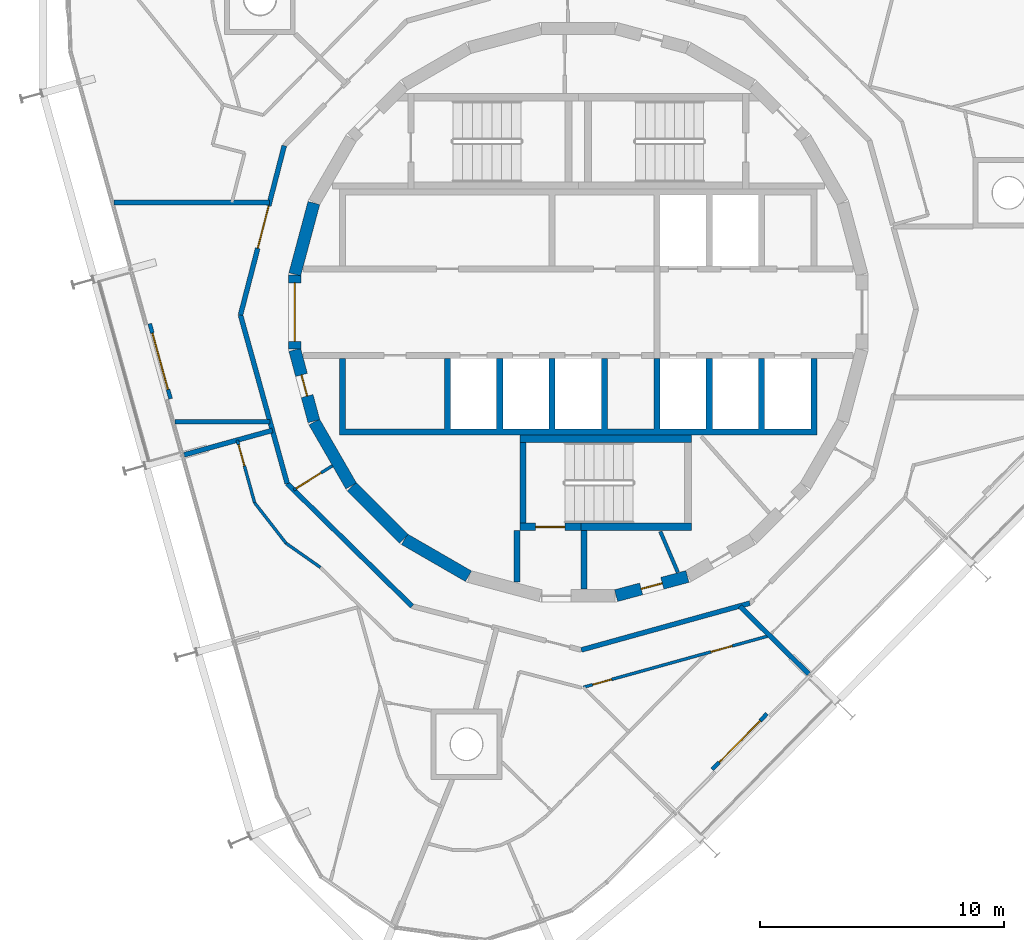
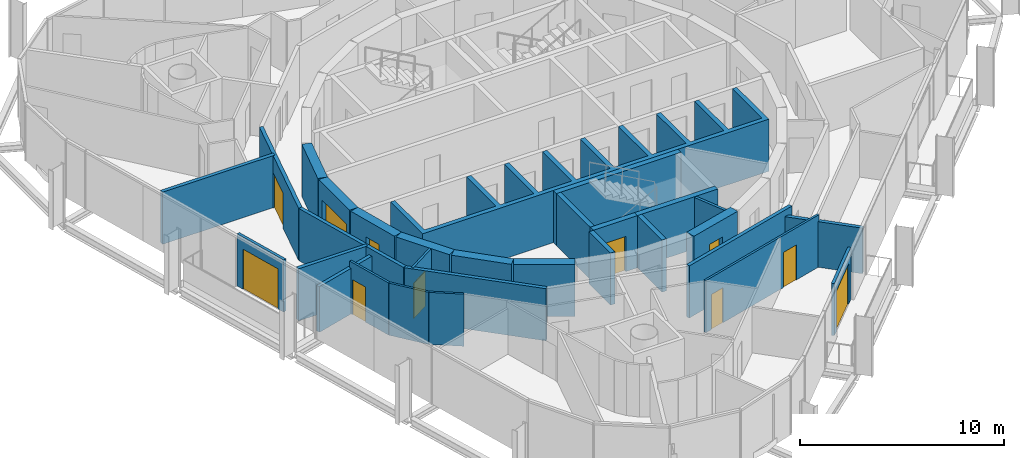
# One storey, part 10 of 15: 30 walls, 11 doors, 11 openings.
"""IFC4 building model written with IfcOpenShell, lengths in metres."""

from ifc_helpers import new_model, si_unit, direction, frame, frame_2d, origin, place, context, subcontext, project, spatial, polyline, rectangle, outline, extrude, material, layer, layer_set, type_object, element, fill, save


model = new_model("IFC4")

# Units and contexts
model_context = context("Model", 3, precision=1e-05, world=origin(), true_north=direction((0.0, 1.0)))
body_context = subcontext(model_context, "Body", "Model", "MODEL_VIEW")
ifc_project = project(units=[si_unit("LENGTHUNIT", "METRE"), si_unit("AREAUNIT", "SQUARE_METRE"), si_unit("VOLUMEUNIT", "CUBIC_METRE"), si_unit("PLANEANGLEUNIT", "RADIAN"), si_unit("MASSUNIT", "GRAM", prefix="KILO")], contexts=[model_context])

# Site, building, storey
site_placement = place(None, origin())
site = spatial("IfcSite", under=ifc_project, at=site_placement, CompositionType="ELEMENT")
building_placement = place(site_placement, origin())
building = spatial("IfcBuilding", under=site, at=building_placement, Name="Spindle Arch Residences", CompositionType="ELEMENT")
storey_placement = place(building_placement, frame((0.0, 0.0, 305.199951171875)))
storey = spatial("IfcBuildingStorey", under=building, at=storey_placement, Name="L78", CompositionType="ELEMENT", Elevation=305.199951171875)

# Wall, opening, door
ifc_material_1 = material(Name="Concrete C50/60", Category="concrete")
ifc_layer_1 = layer(ifc_material_1, 0.5)
ifc_layer_set_1 = layer_set([ifc_layer_1], Name="Core outline wall 500")
wall_type_1 = type_object("IfcWallType", Name="Core outline wall 500", PredefinedType="SHEAR", material=ifc_layer_set_1)
wall_1_placement = place(storey_placement, frame((1.5498046875, -11.642822265625, 0.0), z_axis=(0.0, 0.0, 1.0), x_axis=(0.965948410781, 0.258734743916, 0.0)))
wall_1 = element("IfcWall", 1, at=wall_1_placement, inside=storey, type_object=wall_type_1, Name="Core outline wall 1", PredefinedType="SHEAR", context=body_context, shape_type="SweptSolid", body=[
    extrude(rectangle(XDim=3.03271484375, YDim=0.5, at=frame_2d((1.516357421875, 0.0))), origin(), (0.0, 0.0, 1.0), 3.1201171875),
])
opening_1_placement = place(wall_1_placement, frame((1.06640625, 0.0, 0.0)))
opening_1 = element("IfcOpeningElement", 2, at=opening_1_placement, cuts=wall_1, Name="Opening R8A0-WD08", PredefinedType="OPENING", context=body_context, shape_type="SweptSolid", body=[
    extrude(rectangle(XDim=0.89990234375, YDim=2.10009765625, at=frame_2d((0.449951171875, 1.050048828125))), frame((0.0, 0.260009765625, 0.0), z_axis=(0.0, -1.0, 0.0), x_axis=(1.0, 0.0, 0.0)), (0.0, 0.0, 1.0), 0.52001953125),
])
ifc_material_2 = material(Name="Steel, fire-resisting door", Category="steel")
door_type_1 = type_object("IfcDoorType", Name="Service room door 900x2100", OperationType="SINGLE_SWING_LEFT", PredefinedType="DOOR", material=ifc_material_2)
door_1_placement = place(opening_1_placement, origin())
door_1 = element("IfcDoor", 3, at=door_1_placement, inside=storey, type_object=door_type_1, Name="Service room door R8A0-WD08", OperationType="SINGLE_SWING_RIGHT", OverallHeight=2.10009765625, OverallWidth=0.89990234375, PredefinedType="DOOR", context=body_context, shape_type="SweptSolid", body=[
    extrude(rectangle(XDim=0.89990234375, YDim=2.10009765625, at=frame_2d((0.449951171875, 1.050048828125))), frame((0.0, 0.02490234375, 0.0), z_axis=(0.0, -1.0, 0.0), x_axis=(1.0, 0.0, 0.0)), (0.0, 0.0, 1.0), 0.050048828125),
])
fill(opening_1, door_1)

# Wall
wall_2_placement = place(storey_placement, frame((-10.858154296875, 4.479248046875, 0.0), z_axis=(0.0, 0.0, 1.0), x_axis=(-0.258734743916, -0.965948410781, 0.0)))
element("IfcWall", 4, at=wall_2_placement, inside=storey, type_object=wall_type_1, Name="Core outline wall 17", PredefinedType="SHEAR", context=body_context, shape_type="SweptSolid", body=[
    extrude(rectangle(XDim=3.03271484375, YDim=0.5, at=frame_2d((1.516357421875, 0.0))), origin(), (0.0, 0.0, 1.0), 3.1201171875),
])

# Wall, opening, door
wall_3_placement = place(storey_placement, frame((-11.647216796875, 1.516357421875, 0.0), z_axis=(0.0, 0.0, 1.0), x_axis=(0.0, -1.0, 0.0)))
wall_3 = element("IfcWall", 5, at=wall_3_placement, inside=storey, type_object=wall_type_1, Name="Core outline wall 18", PredefinedType="SHEAR", context=body_context, shape_type="SweptSolid", body=[
    extrude(rectangle(XDim=3.03271484375, YDim=0.5, at=frame_2d((1.516357421875, 0.0))), origin(), (0.0, 0.0, 1.0), 3.1201171875),
])
opening_2_placement = place(wall_3_placement, frame((0.31640625, 0.0, 0.0)))
opening_2 = element("IfcOpeningElement", 6, at=opening_2_placement, cuts=wall_3, Name="Opening R8A0-LE01", PredefinedType="OPENING", context=body_context, shape_type="SweptSolid", body=[
    extrude(rectangle(XDim=2.39990234375, YDim=2.10009765625, at=frame_2d((1.199951171875, 1.050048828125))), frame((0.0, 0.260009765625, 0.0), z_axis=(0.0, -1.0, 0.0), x_axis=(1.0, 0.0, 0.0)), (0.0, 0.0, 1.0), 0.52001953125),
])
ifc_material_3 = material(Name="Steel, fire-resisting door", Category="steel")
door_type_2 = type_object("IfcDoorType", Name="Lift lobby entrance door 2400x2100", OperationType="DOUBLE_DOOR_SINGLE_SWING", PredefinedType="DOOR", material=ifc_material_3)
door_2_placement = place(opening_2_placement, origin())
door_2 = element("IfcDoor", 7, at=door_2_placement, inside=storey, type_object=door_type_2, Name="Lift lobby entrance door R8A0-LE01", OperationType="DOUBLE_DOOR_SINGLE_SWING", OverallHeight=2.10009765625, OverallWidth=2.39990234375, PredefinedType="DOOR", context=body_context, shape_type="SweptSolid", body=[
    extrude(rectangle(XDim=2.39990234375, YDim=2.10009765625, at=frame_2d((1.199951171875, 1.050048828125))), frame((0.0, 0.02490234375, 0.0), z_axis=(0.0, -1.0, 0.0), x_axis=(1.0, 0.0, 0.0)), (0.0, 0.0, 1.0), 0.050048828125),
])
fill(opening_2, door_2)

wall_4_placement = place(storey_placement, frame((-11.642822265625, -1.5498046875, 0.0), z_axis=(0.0, 0.0, 1.0), x_axis=(0.258734743916, -0.965948410781, 0.0)))
wall_4 = element("IfcWall", 8, at=wall_4_placement, inside=storey, type_object=wall_type_1, Name="Core outline wall 19", PredefinedType="SHEAR", context=body_context, shape_type="SweptSolid", body=[
    extrude(rectangle(XDim=3.03271484375, YDim=0.5, at=frame_2d((1.516357421875, 0.0))), origin(), (0.0, 0.0, 1.0), 3.1201171875),
])
opening_3_placement = place(wall_4_placement, frame((1.06640625, 0.0, 0.0)))
opening_3 = element("IfcOpeningElement", 9, at=opening_3_placement, cuts=wall_4, Name="Opening R8A0-WD10", PredefinedType="OPENING", context=body_context, shape_type="SweptSolid", body=[
    extrude(rectangle(XDim=0.89990234375, YDim=2.10009765625, at=frame_2d((0.449951171875, 1.050048828125))), frame((0.0, 0.260009765625, 0.0), z_axis=(0.0, -1.0, 0.0), x_axis=(1.0, 0.0, 0.0)), (0.0, 0.0, 1.0), 0.52001953125),
])
door_3_placement = place(opening_3_placement, origin())
door_3 = element("IfcDoor", 10, at=door_3_placement, inside=storey, type_object=door_type_1, Name="Service room door R8A0-WD10", OperationType="SINGLE_SWING_RIGHT", OverallHeight=2.10009765625, OverallWidth=0.89990234375, PredefinedType="DOOR", context=body_context, shape_type="SweptSolid", body=[
    extrude(rectangle(XDim=0.89990234375, YDim=2.10009765625, at=frame_2d((0.449951171875, 1.050048828125))), frame((0.0, 0.02490234375, 0.0), z_axis=(0.0, -1.0, 0.0), x_axis=(1.0, 0.0, 0.0)), (0.0, 0.0, 1.0), 0.050048828125),
])
fill(opening_3, door_3)

# Walls
wall_5_placement = place(storey_placement, frame((-10.84521484375, -4.510498046875, 0.0), z_axis=(0.0, 0.0, 1.0), x_axis=(0.500087131594, -0.865975092491, 0.0)))
element("IfcWall", 11, at=wall_5_placement, inside=storey, type_object=wall_type_1, Name="Core outline wall 20", PredefinedType="SHEAR", context=body_context, shape_type="SweptSolid", body=[
    extrude(rectangle(XDim=3.03271484375, YDim=0.5, at=frame_2d((1.516357421875, 0.0))), origin(), (0.0, 0.0, 1.0), 3.1201171875),
])
wall_6_placement = place(storey_placement, frame((-9.30810546875, -7.163818359375, 0.0), z_axis=(0.0, 0.0, 1.0), x_axis=(0.707106781187, -0.707106781187, 0.0)))
element("IfcWall", 12, at=wall_6_placement, inside=storey, type_object=wall_type_1, Name="Core outline wall 21", PredefinedType="SHEAR", context=body_context, shape_type="SweptSolid", body=[
    extrude(rectangle(XDim=3.032470703125, YDim=0.5, at=frame_2d((1.51611328125, 0.0))), origin(), (0.0, 0.0, 1.0), 3.1201171875),
])
wall_7_placement = place(storey_placement, frame((-7.13671875, -9.32861328125, 0.0), z_axis=(0.0, 0.0, 1.0), x_axis=(0.865975092491, -0.500087131594, 0.0)))
element("IfcWall", 13, at=wall_7_placement, inside=storey, type_object=wall_type_1, Name="Core outline wall 22", PredefinedType="SHEAR", context=body_context, shape_type="SweptSolid", body=[
    extrude(rectangle(XDim=3.03271484375, YDim=0.5, at=frame_2d((1.516357421875, 0.0))), origin(), (0.0, 0.0, 1.0), 3.1201171875),
])

# Wall, opening, door
ifc_material_4 = material(Name="Plasterboard on steel studs", Category="steel")
ifc_layer_2 = layer(ifc_material_4, 0.1201171875)
ifc_layer_set_2 = layer_set([ifc_layer_2], Name="Corridor division wall 120")
wall_type_2 = type_object("IfcWallType", Name="Corridor division wall 120", PredefinedType="PARTITIONING", material=ifc_layer_set_2)
wall_8_placement = place(storey_placement, frame((-11.686767578125, -7.302734375, 0.0), z_axis=(0.0, 0.0, 1.0), x_axis=(0.848064094072, 0.529893661357, 0.0)))
wall_8 = element("IfcWall", 14, at=wall_8_placement, inside=storey, type_object=wall_type_2, Name="Corridor division wall R8A0-W003", PredefinedType="PARTITIONING", context=body_context, shape_type="SweptSolid", body=[
    extrude(rectangle(XDim=1.876220703125, YDim=0.1201171875, at=frame_2d((0.93798828125, 0.0))), origin(), (0.0, 0.0, 1.0), 3.1201171875),
])
opening_4_placement = place(wall_8_placement, frame((0.125, 0.0, 0.0)))
opening_4 = element("IfcOpeningElement", 15, at=opening_4_placement, cuts=wall_8, Name="Opening R8A0-CD03", PredefinedType="OPENING", context=body_context, shape_type="SweptSolid", body=[
    extrude(rectangle(XDim=1.199951171875, YDim=2.10009765625, at=frame_2d((0.60009765625, 1.050048828125))), frame((0.0, 0.070068359375, 0.0), z_axis=(0.0, -1.0, 0.0), x_axis=(1.0, 0.0, 0.0)), (0.0, 0.0, 1.0), 0.14013671875),
])
ifc_material_5 = material(Name="Steel, fire-resisting door", Category="steel")
door_type_3 = type_object("IfcDoorType", Name="Corridor division door 1200x2100", OperationType="NOTDEFINED", PredefinedType="DOOR", material=ifc_material_5)
door_4_placement = place(opening_4_placement, origin())
door_4 = element("IfcDoor", 16, at=door_4_placement, inside=storey, type_object=door_type_3, Name="Corridor division door R8A0-CD03", OperationType="DOUBLE_DOOR_SINGLE_SWING", OverallHeight=2.10009765625, OverallWidth=1.199951171875, PredefinedType="DOOR", context=body_context, shape_type="SweptSolid", body=[
    extrude(rectangle(XDim=1.199951171875, YDim=2.10009765625, at=frame_2d((0.60009765625, 1.050048828125))), frame((0.0, 0.02490234375, 0.0), z_axis=(0.0, -1.0, 0.0), x_axis=(1.0, 0.0, 0.0)), (0.0, 0.0, 1.0), 0.050048828125),
])
fill(opening_4, door_4)

# Walls
ifc_material_6 = material(Name="Calcium silicate block, plastered")
ifc_layer_3 = layer(ifc_material_6, 0.199951171875)
ifc_layer_set_3 = layer_set([ifc_layer_3], Name="Corridor wall 200")
wall_type_3 = type_object("IfcWallType", Name="Corridor wall 200", PredefinedType="STANDARD", material=ifc_layer_set_3)
wall_9_placement = place(storey_placement, frame((-11.953125, -7.041015625, 0.0), z_axis=(0.0, 0.0, 1.0), x_axis=(0.713250549143, -0.70090916255, 0.0)))
element("IfcWall", 17, at=wall_9_placement, inside=storey, type_object=wall_type_3, Name="Corridor wall R8A0-W013", PredefinedType="STANDARD", context=body_context, shape_type="SweptSolid", body=[
    extrude(rectangle(XDim=7.180908203125, YDim=0.199951171875, at=frame_2d((3.59033203125, 0.0))), origin(), (0.0, 0.0, 1.0), 3.1201171875),
])
wall_10_placement = place(storey_placement, frame((0.12109375, -13.872314453125, 0.0), z_axis=(0.0, 0.0, 1.0), x_axis=(0.963625960674, 0.267254575108, 0.0)))
element("IfcWall", 18, at=wall_10_placement, inside=storey, type_object=wall_type_3, Name="Corridor wall R8A0-W015", PredefinedType="STANDARD", context=body_context, shape_type="SweptSolid", body=[
    extrude(rectangle(XDim=7.18115234375, YDim=0.199951171875, at=frame_2d((3.590576171875, 0.0))), origin(), (0.0, 0.0, 1.0), 3.1201171875),
])

# Wall, opening, door
ifc_material_7 = material(Name="Plasterboard on steel studs", Category="steel")
ifc_layer_4 = layer(ifc_material_7, 0.1201171875)
ifc_layer_set_4 = layer_set([ifc_layer_4], Name="Flat partition 120")
wall_type_4 = type_object("IfcWallType", Name="Flat partition 120", PredefinedType="PARTITIONING", material=ifc_layer_set_4)
wall_11_placement = place(storey_placement, frame((-14.004638671875, -5.25634765625, 0.0), z_axis=(0.0, 0.0, 1.0), x_axis=(0.267200500487, -0.963640956238, 0.0)))
wall_11 = element("IfcWall", 19, at=wall_11_placement, inside=storey, type_object=wall_type_4, Name="Flat partition R8A0-W070", PredefinedType="PARTITIONING", context=body_context, shape_type="SweptSolid", body=[
    extrude(rectangle(XDim=2.669921875, YDim=0.1201171875, at=frame_2d((1.3349609375, 0.0))), origin(), (0.0, 0.0, 1.0), 3.1201171875),
])
opening_5_placement = place(wall_11_placement, frame((0.199951171875, 0.0, 0.0)))
opening_5 = element("IfcOpeningElement", 20, at=opening_5_placement, cuts=wall_11, Name="Opening R8A0-ID12", PredefinedType="OPENING", context=body_context, shape_type="SweptSolid", body=[
    extrude(rectangle(XDim=0.89990234375, YDim=2.10009765625, at=frame_2d((0.449951171875, 1.050048828125))), frame((0.0, 0.070068359375, 0.0), z_axis=(0.0, -1.0, 0.0), x_axis=(1.0, 0.0, 0.0)), (0.0, 0.0, 1.0), 0.14013671875),
])
ifc_material_8 = material(Name="Timber door set", Category="wood")
door_type_4 = type_object("IfcDoorType", Name="Room door 900x2100", OperationType="NOTDEFINED", PredefinedType="DOOR", material=ifc_material_8)
door_5_placement = place(opening_5_placement, origin())
door_5 = element("IfcDoor", 21, at=door_5_placement, inside=storey, type_object=door_type_4, Name="Room door R8A0-ID12", OperationType="SINGLE_SWING_RIGHT", OverallHeight=2.10009765625, OverallWidth=0.89990234375, PredefinedType="DOOR", context=body_context, shape_type="SweptSolid", body=[
    extrude(rectangle(XDim=0.89990234375, YDim=2.10009765625, at=frame_2d((0.449951171875, 1.050048828125))), frame((0.0, 0.02490234375, 0.0), z_axis=(0.0, -1.0, 0.0), x_axis=(1.0, 0.0, 0.0)), (0.0, 0.0, 1.0), 0.050048828125),
])
fill(opening_5, door_5)

# Walls
wall_12_placement = place(storey_placement, frame((-13.291259765625, -7.8291015625, 0.0), z_axis=(0.0, 0.0, 1.0), x_axis=(0.613017069232, -0.790069663277, 0.0)))
element("IfcWall", 22, at=wall_12_placement, inside=storey, type_object=wall_type_4, Name="Flat partition R8A0-W071", PredefinedType="PARTITIONING", context=body_context, shape_type="SweptSolid", body=[
    extrude(rectangle(XDim=2.105712890625, YDim=0.1201171875, at=frame_2d((1.052734375, 0.0))), origin(), (0.0, 0.0, 1.0), 3.1201171875),
])
wall_13_placement = place(storey_placement, frame((-12.00048828125, -9.49267578125, 0.0), z_axis=(0.0, 0.0, 1.0), x_axis=(0.818312362022, -0.57477376259, 0.0)))
element("IfcWall", 23, at=wall_13_placement, inside=storey, type_object=wall_type_4, Name="Flat partition R8A0-W072", PredefinedType="PARTITIONING", context=body_context, shape_type="SweptSolid", body=[
    extrude(rectangle(XDim=1.72314453125, YDim=0.1201171875, at=frame_2d((0.861572265625, 0.0))), origin(), (0.0, 0.0, 1.0), 3.1201171875),
])

# Wall, openings, doors
wall_14_placement = place(storey_placement, frame((0.209716796875, -15.404296875, 0.0), z_axis=(0.0, 0.0, 1.0), x_axis=(0.963630625717, 0.267237754032, 0.0)))
wall_14 = element("IfcWall", 24, at=wall_14_placement, inside=storey, type_object=wall_type_4, Name="Flat partition R8A0-W085", PredefinedType="PARTITIONING", context=body_context, shape_type="SweptSolid", body=[
    extrude(rectangle(XDim=7.906982421875, YDim=0.1201171875, at=frame_2d((3.95361328125, 0.0))), origin(), (0.0, 0.0, 1.0), 3.1201171875),
])
opening_6_placement = place(wall_14_placement, frame((0.39990234375, 0.0, 0.0)))
opening_6 = element("IfcOpeningElement", 25, at=opening_6_placement, cuts=wall_14, Name="Opening R8A0-BD05", PredefinedType="OPENING", context=body_context, shape_type="SweptSolid", body=[
    extrude(rectangle(XDim=0.800048828125, YDim=2.10009765625, at=frame_2d((0.39990234375, 1.050048828125))), frame((0.0, 0.070068359375, 0.0), z_axis=(0.0, -1.0, 0.0), x_axis=(1.0, 0.0, 0.0)), (0.0, 0.0, 1.0), 0.14013671875),
])
opening_7_placement = place(wall_14_placement, frame((5.436279296875, 0.0, 0.0)))
opening_7 = element("IfcOpeningElement", 26, at=opening_7_placement, cuts=wall_14, Name="Opening R8A0-ID17", PredefinedType="OPENING", context=body_context, shape_type="SweptSolid", body=[
    extrude(rectangle(XDim=0.89990234375, YDim=2.10009765625, at=frame_2d((0.449951171875, 1.050048828125))), frame((0.0, 0.070068359375, 0.0), z_axis=(0.0, -1.0, 0.0), x_axis=(1.0, 0.0, 0.0)), (0.0, 0.0, 1.0), 0.14013671875),
])
ifc_material_9 = material(Name="Timber door set", Category="wood")
door_type_5 = type_object("IfcDoorType", Name="Bathroom door 800x2100", OperationType="NOTDEFINED", PredefinedType="DOOR", material=ifc_material_9)
door_6_placement = place(opening_6_placement, origin())
door_6 = element("IfcDoor", 27, at=door_6_placement, inside=storey, type_object=door_type_5, Name="Bathroom door R8A0-BD05", OperationType="SINGLE_SWING_LEFT", OverallHeight=2.10009765625, OverallWidth=0.800048828125, PredefinedType="DOOR", context=body_context, shape_type="SweptSolid", body=[
    extrude(rectangle(XDim=0.800048828125, YDim=2.10009765625, at=frame_2d((0.39990234375, 1.050048828125))), frame((0.0, 0.02490234375, 0.0), z_axis=(0.0, -1.0, 0.0), x_axis=(1.0, 0.0, 0.0)), (0.0, 0.0, 1.0), 0.050048828125),
])
fill(opening_6, door_6)
door_7_placement = place(opening_7_placement, origin())
door_7 = element("IfcDoor", 28, at=door_7_placement, inside=storey, type_object=door_type_4, Name="Room door R8A0-ID17", OperationType="SINGLE_SWING_LEFT", OverallHeight=2.10009765625, OverallWidth=0.89990234375, PredefinedType="DOOR", context=body_context, shape_type="SweptSolid", body=[
    extrude(rectangle(XDim=0.89990234375, YDim=2.10009765625, at=frame_2d((0.449951171875, 1.050048828125))), frame((0.0, 0.02490234375, 0.0), z_axis=(0.0, -1.0, 0.0), x_axis=(1.0, 0.0, 0.0)), (0.0, 0.0, 1.0), 0.050048828125),
])
fill(opening_7, door_7)

# Walls
ifc_material_10 = material(Name="Calcium silicate block, plastered")
ifc_layer_5 = layer(ifc_material_10, 0.199951171875)
ifc_layer_set_5 = layer_set([ifc_layer_5], Name="Flat party wall 200 under beam 2730")
wall_type_5 = type_object("IfcWallType", Name="Flat party wall 200 under beam 2730", PredefinedType="STANDARD", material=ifc_layer_set_5)
wall_15_placement = place(storey_placement, frame((-16.18701171875, -5.861572265625, 0.0), z_axis=(0.0, 0.0, 1.0), x_axis=(0.963631166683, 0.267235803358, 0.0)))
element("IfcWall", 29, at=wall_15_placement, inside=storey, type_object=wall_type_5, Name="Flat party wall R8A0-W028", PredefinedType="STANDARD", context=body_context, shape_type="SweptSolid", body=[
    extrude(rectangle(XDim=3.764892578125, YDim=0.199951171875, at=frame_2d((1.88232421875, 0.0))), origin(), (0.0, 0.0, 1.0), 2.72998046875),
])
wall_16_placement = place(storey_placement, frame((9.4619140625, -14.860595703125, 0.0), z_axis=(0.0, 0.0, 1.0), x_axis=(-0.713276937124, 0.700882308927, 0.0)))
element("IfcWall", 30, at=wall_16_placement, inside=storey, type_object=wall_type_5, Name="Flat party wall R8A0-W031", PredefinedType="STANDARD", context=body_context, shape_type="SweptSolid", body=[
    extrude(rectangle(XDim=3.959228515625, YDim=0.199951171875, at=frame_2d((1.9794921875, 0.0))), origin(), (0.0, 0.0, 1.0), 2.72998046875),
])

# Wall, opening, door
ifc_material_11 = material(Name="Non-combustible mineral wool insulated aluminium faced external wall (K0)", Category="aluminium")
ifc_layer_6 = layer(ifc_material_11, 0.159912109375)
ifc_layer_set_6 = layer_set([ifc_layer_6], Name="Insulated external wall panel 160")
wall_type_6 = type_object("IfcWallType", Name="Insulated external wall panel 160", PredefinedType="STANDARD", material=ifc_layer_set_6)
wall_17_placement = place(storey_placement, frame((-17.59765625, -0.47509765625, 0.0), z_axis=(0.0, 0.0, 1.0), x_axis=(0.267266077957, -0.963622770369, 0.0)))
wall_17 = element("IfcWall", 31, at=wall_17_placement, inside=storey, type_object=wall_type_6, Name="External wall L78 bay 13", PredefinedType="STANDARD", context=body_context, shape_type="SweptSolid", body=[
    extrude(rectangle(XDim=3.199951171875, YDim=0.159912109375, at=frame_2d((1.60009765625, 0.0))), origin(), (0.0, 0.0, 1.0), 3.1201171875),
])
opening_8_placement = place(wall_17_placement, frame((0.39990234375, 0.0, 0.0)))
opening_8 = element("IfcOpeningElement", 32, at=opening_8_placement, cuts=wall_17, Name="Opening BD13", PredefinedType="OPENING", context=body_context, shape_type="SweptSolid", body=[
    extrude(rectangle(XDim=2.39990234375, YDim=2.39990234375, at=frame_2d((1.199951171875, 1.199951171875))), frame((0.0, 0.08984375, 0.0), z_axis=(0.0, -1.0, 0.0), x_axis=(1.0, 0.0, 0.0)), (0.0, 0.0, 1.0), 0.179931640625),
])
ifc_material_12 = material(Name="Bronze aluminium frame, tinted double glazing", Category="aluminium")
door_type_6 = type_object("IfcDoorType", Name="Sliding glazed balcony door 2400x2400", OperationType="DOUBLE_DOOR_SLIDING", PredefinedType="DOOR", material=ifc_material_12)
door_8_placement = place(opening_8_placement, origin())
door_8 = element("IfcDoor", 33, at=door_8_placement, inside=storey, type_object=door_type_6, Name="Balcony door BD13", OperationType="DOUBLE_DOOR_SLIDING", OverallHeight=2.39990234375, OverallWidth=2.39990234375, PredefinedType="DOOR", context=body_context, shape_type="SweptSolid", body=[
    extrude(rectangle(XDim=2.39990234375, YDim=2.39990234375, at=frame_2d((1.199951171875, 1.199951171875))), frame((0.0, 0.02490234375, 0.0), z_axis=(0.0, -1.0, 0.0), x_axis=(1.0, 0.0, 0.0)), (0.0, 0.0, 1.0), 0.050048828125),
])
fill(opening_8, door_8)

wall_18_placement = place(storey_placement, frame((5.50244140625, -18.775634765625, 0.0), z_axis=(0.0, 0.0, 1.0), x_axis=(0.700900076932, 0.713259477439, 0.0)))
wall_18 = element("IfcWall", 34, at=wall_18_placement, inside=storey, type_object=wall_type_6, Name="External wall L78 bay 19", PredefinedType="STANDARD", context=body_context, shape_type="SweptSolid", body=[
    extrude(rectangle(XDim=3.199951171875, YDim=0.159912109375, at=frame_2d((1.60009765625, 0.0))), origin(), (0.0, 0.0, 1.0), 3.1201171875),
])
opening_9_placement = place(wall_18_placement, frame((0.39990234375, 0.0, 0.0)))
opening_9 = element("IfcOpeningElement", 35, at=opening_9_placement, cuts=wall_18, Name="Opening BD19", PredefinedType="OPENING", context=body_context, shape_type="SweptSolid", body=[
    extrude(rectangle(XDim=2.39990234375, YDim=2.39990234375, at=frame_2d((1.199951171875, 1.199951171875))), frame((0.0, 0.08984375, 0.0), z_axis=(0.0, -1.0, 0.0), x_axis=(1.0, 0.0, 0.0)), (0.0, 0.0, 1.0), 0.179931640625),
])
door_9_placement = place(opening_9_placement, origin())
door_9 = element("IfcDoor", 36, at=door_9_placement, inside=storey, type_object=door_type_6, Name="Balcony door BD19", OperationType="DOUBLE_DOOR_SLIDING", OverallHeight=2.39990234375, OverallWidth=2.39990234375, PredefinedType="DOOR", context=body_context, shape_type="SweptSolid", body=[
    extrude(rectangle(XDim=2.39990234375, YDim=2.39990234375, at=frame_2d((1.199951171875, 1.199951171875))), frame((0.0, 0.02490234375, 0.0), z_axis=(0.0, -1.0, 0.0), x_axis=(1.0, 0.0, 0.0)), (0.0, 0.0, 1.0), 0.050048828125),
])
fill(opening_9, door_9)

ifc_material_13 = material(Name="Calcium silicate block, plastered")
ifc_layer_7 = layer(ifc_material_13, 0.199951171875)
ifc_layer_set_7 = layer_set([ifc_layer_7], Name="Lift lobby bay wall 200")
wall_type_7 = type_object("IfcWallType", Name="Lift lobby bay wall 200", PredefinedType="STANDARD", material=ifc_layer_set_7)
wall_19_placement = place(storey_placement, frame((-12.07421875, 6.831298828125, 0.0), z_axis=(0.0, 0.0, 1.0), x_axis=(-0.250391063186, -0.968144780225, 0.0)))
wall_19 = element("IfcWall", 37, at=wall_19_placement, inside=storey, type_object=wall_type_7, Name="Lift lobby bay wall R8A0-W010", PredefinedType="STANDARD", context=body_context, shape_type="SweptSolid", body=[
    extrude(rectangle(XDim=7.18115234375, YDim=0.199951171875, at=frame_2d((3.590576171875, 0.0))), origin(), (0.0, 0.0, 1.0), 3.1201171875),
])
opening_10_placement = place(wall_19_placement, frame((2.5478515625, 0.0, 0.0)))
opening_10 = element("IfcOpeningElement", 38, at=opening_10_placement, cuts=wall_19, Name="Opening R8A0-LB01", PredefinedType="OPENING", context=body_context, shape_type="SweptSolid", body=[
    extrude(rectangle(XDim=1.800048828125, YDim=2.10009765625, at=frame_2d((0.89990234375, 1.050048828125))), frame((0.0, 0.10986328125, 0.0), z_axis=(0.0, -1.0, 0.0), x_axis=(1.0, 0.0, 0.0)), (0.0, 0.0, 1.0), 0.219970703125),
])
ifc_material_14 = material(Name="Steel, fire-resisting door", Category="steel")
door_type_7 = type_object("IfcDoorType", Name="Lift lobby bay door 1800x2100", OperationType="NOTDEFINED", PredefinedType="DOOR", material=ifc_material_14)
door_10_placement = place(opening_10_placement, origin())
door_10 = element("IfcDoor", 39, at=door_10_placement, inside=storey, type_object=door_type_7, Name="Lift lobby bay door R8A0-LB01", OperationType="DOUBLE_DOOR_SINGLE_SWING", OverallHeight=2.10009765625, OverallWidth=1.800048828125, PredefinedType="DOOR", context=body_context, shape_type="SweptSolid", body=[
    extrude(rectangle(XDim=1.800048828125, YDim=2.10009765625, at=frame_2d((0.89990234375, 1.050048828125))), frame((0.0, 0.02490234375, 0.0), z_axis=(0.0, -1.0, 0.0), x_axis=(1.0, 0.0, 0.0)), (0.0, 0.0, 1.0), 0.050048828125),
])
fill(opening_10, door_10)

# Walls
wall_20_placement = place(storey_placement, frame((-13.872314453125, -0.12109375, 0.0), z_axis=(0.0, 0.0, 1.0), x_axis=(0.267254575108, -0.963625960674, 0.0)))
element("IfcWall", 40, at=wall_20_placement, inside=storey, type_object=wall_type_7, Name="Lift lobby bay wall R8A0-W011", PredefinedType="STANDARD", context=body_context, shape_type="SweptSolid", body=[
    extrude(rectangle(XDim=7.18115234375, YDim=0.199951171875, at=frame_2d((3.590576171875, 0.0))), origin(), (0.0, 0.0, 1.0), 3.1201171875),
])
wall_21_placement = place(storey_placement, frame((-12.677001953125, 4.5, 0.0), z_axis=(0.0, 0.0, 1.0), x_axis=(-1.0, 0.0, 0.0)))
element("IfcWall", 41, at=wall_21_placement, inside=storey, type_object=wall_type_7, Name="Lift lobby bay wall R8A0-W017", PredefinedType="STANDARD", context=body_context, shape_type="SweptSolid", body=[
    extrude(rectangle(XDim=6.38330078125, YDim=0.199951171875, at=frame_2d((3.191650390625, 0.0))), origin(), (0.0, 0.0, 1.0), 3.1201171875),
])
wall_22_placement = place(storey_placement, frame((-16.564453125, -4.5, 0.0), z_axis=(0.0, 0.0, 1.0), x_axis=(1.0, 0.0, 0.0)))
element("IfcWall", 42, at=wall_22_placement, inside=storey, type_object=wall_type_7, Name="Lift lobby bay wall R8A0-W018", PredefinedType="STANDARD", context=body_context, shape_type="SweptSolid", body=[
    extrude(rectangle(XDim=3.90673828125, YDim=0.199951171875, at=frame_2d((1.953369140625, 0.0))), origin(), (0.0, 0.0, 1.0), 3.1201171875),
])
ifc_material_15 = material(Name="Concrete C50/60", Category="concrete")
wall_type_8 = type_object("IfcWallType", Name="Lift shaft wall profile", PredefinedType="SHEAR", material=ifc_material_15)
wall_23_placement = place(storey_placement, origin())
element("IfcWall", 43, at=wall_23_placement, inside=storey, type_object=wall_type_8, Name="Lift shaft walls S", PredefinedType="SHEAR", context=body_context, shape_type="SweptSolid", body=[
    extrude(outline(polyline([(9.800048828125, -5.050048828125), (9.800048828125, -4.800048828125), (9.800048828125, -1.89990234375), (9.550048828125, -1.89990234375), (9.550048828125, -4.800048828125), (7.64990234375, -4.800048828125), (7.64990234375, -1.89990234375), (7.39990234375, -1.89990234375), (7.39990234375, -4.800048828125), (5.5, -4.800048828125), (5.5, -1.89990234375), (5.25, -1.89990234375), (5.25, -4.800048828125), (3.35009765625, -4.800048828125), (3.35009765625, -1.89990234375), (3.10009765625, -1.89990234375), (3.10009765625, -4.800048828125), (1.199951171875, -4.800048828125), (1.199951171875, -1.89990234375), (0.949951171875, -1.89990234375), (0.949951171875, -4.800048828125), (-0.949951171875, -4.800048828125), (-0.949951171875, -1.89990234375), (-1.199951171875, -1.89990234375), (-1.199951171875, -4.800048828125), (-3.10009765625, -4.800048828125), (-3.10009765625, -1.89990234375), (-3.35009765625, -1.89990234375), (-3.35009765625, -4.800048828125), (-5.25, -4.800048828125), (-5.25, -1.89990234375), (-5.5, -1.89990234375), (-5.5, -4.800048828125), (-9.550048828125, -4.800048828125), (-9.550048828125, -1.89990234375), (-9.800048828125, -1.89990234375), (-9.800048828125, -4.800048828125), (-9.800048828125, -5.050048828125), (9.800048828125, -5.050048828125)])), origin(), (0.0, 0.0, 1.0), 3.1201171875),
])
ifc_material_16 = material(Name="Concrete C25/30", Category="concrete")
ifc_layer_8 = layer(ifc_material_16, 0.14990234375)
ifc_layer_set_8 = layer_set([ifc_layer_8], Name="Service room partition 150")
wall_type_9 = type_object("IfcWallType", Name="Service room partition 150", PredefinedType="PARTITIONING", material=ifc_layer_set_8)
wall_24_placement = place(storey_placement, frame((3.366943359375, -9.0068359375, 0.0), z_axis=(0.0, 0.0, 1.0), x_axis=(0.394387482265, -0.918944238696, 0.0)))
element("IfcWall", 44, at=wall_24_placement, inside=storey, type_object=wall_type_9, Name="Core service room partition", PredefinedType="PARTITIONING", context=body_context, shape_type="SweptSolid", body=[
    extrude(rectangle(XDim=1.824951171875, YDim=0.14990234375, at=frame_2d((0.91259765625, 0.0))), origin(), (0.0, 0.0, 1.0), 3.1201171875),
])
ifc_material_17 = material(Name="Concrete C40/50", Category="concrete")
ifc_layer_9 = layer(ifc_material_17, 0.25)
ifc_layer_set_9 = layer_set([ifc_layer_9], Name="Stair airlock wall 250")
wall_type_10 = type_object("IfcWallType", Name="Stair airlock wall 250", PredefinedType="SHEAR", material=ifc_layer_set_9)
wall_25_placement = place(storey_placement, frame((-2.52490234375, -8.969970703125, 0.0), z_axis=(0.0, 0.0, 1.0), x_axis=(0.0, -1.0, 0.0)))
element("IfcWall", 45, at=wall_25_placement, inside=storey, type_object=wall_type_10, Name="Stair ST-3 airlock wall W", PredefinedType="SHEAR", context=body_context, shape_type="SweptSolid", body=[
    extrude(rectangle(XDim=2.110107421875, YDim=0.25, at=frame_2d((1.05517578125, 0.0))), origin(), (0.0, 0.0, 1.0), 3.1201171875),
])
wall_26_placement = place(storey_placement, frame((0.22509765625, -8.969970703125, 0.0), z_axis=(0.0, 0.0, 1.0), x_axis=(0.0, -1.0, 0.0)))
element("IfcWall", 46, at=wall_26_placement, inside=storey, type_object=wall_type_10, Name="Stair ST-3 airlock wall E", PredefinedType="SHEAR", context=body_context, shape_type="SweptSolid", body=[
    extrude(rectangle(XDim=2.409912109375, YDim=0.25, at=frame_2d((1.205078125, 0.0))), origin(), (0.0, 0.0, 1.0), 3.1201171875),
])
ifc_material_18 = material(Name="Concrete C50/60", Category="concrete")
ifc_layer_10 = layer(ifc_material_18, 0.25)
ifc_layer_set_10 = layer_set([ifc_layer_10], Name="Stair enclosure wall 250")
wall_type_11 = type_object("IfcWallType", Name="Stair enclosure wall 250", PredefinedType="SHEAR", material=ifc_layer_set_10)
wall_27_placement = place(storey_placement, frame((-2.27490234375, -8.669921875, 0.0), z_axis=(0.0, 0.0, 1.0), x_axis=(0.0, 1.0, 0.0)))
element("IfcWall", 47, at=wall_27_placement, inside=storey, type_object=wall_type_11, Name="Stair ST-3 enclosure wall W", PredefinedType="SHEAR", context=body_context, shape_type="SweptSolid", body=[
    extrude(rectangle(XDim=3.31982421875, YDim=0.25, at=frame_2d((1.659912109375, 0.0))), origin(), (0.0, 0.0, 1.0), 3.1201171875),
])
ifc_material_19 = material(Name="Concrete C50/60", Category="concrete")
ifc_layer_11 = layer(ifc_material_19, 0.300048828125)
ifc_layer_set_11 = layer_set([ifc_layer_11], Name="Stair enclosure wall 300")
wall_type_12 = type_object("IfcWallType", Name="Stair enclosure wall 300", PredefinedType="SHEAR", material=ifc_layer_set_11)
wall_28_placement = place(storey_placement, frame((-2.39990234375, -5.199951171875, 0.0), z_axis=(0.0, 0.0, 1.0), x_axis=(1.0, 0.0, 0.0)))
element("IfcWall", 48, at=wall_28_placement, inside=storey, type_object=wall_type_12, Name="Stair ST-3 enclosure wall N", PredefinedType="SHEAR", context=body_context, shape_type="SweptSolid", body=[
    extrude(rectangle(XDim=7.0498046875, YDim=0.300048828125, at=frame_2d((3.52490234375, 0.0))), origin(), (0.0, 0.0, 1.0), 3.1201171875),
])
wall_29_placement = place(storey_placement, frame((0.10009765625, -8.820068359375, 0.0), z_axis=(0.0, 0.0, 1.0), x_axis=(1.0, 0.0, 0.0)))
element("IfcWall", 49, at=wall_29_placement, inside=storey, type_object=wall_type_12, Name="Stair ST-3 enclosure wall S", PredefinedType="SHEAR", context=body_context, shape_type="SweptSolid", body=[
    extrude(rectangle(XDim=4.5498046875, YDim=0.300048828125, at=frame_2d((2.27490234375, 0.0))), origin(), (0.0, 0.0, 1.0), 3.1201171875),
])

# Wall, opening, door
wall_30_placement = place(storey_placement, frame((-2.39990234375, -8.820068359375, 0.0), z_axis=(0.0, 0.0, 1.0), x_axis=(1.0, 0.0, 0.0)))
wall_30 = element("IfcWall", 50, at=wall_30_placement, inside=storey, type_object=wall_type_12, Name="Stair ST-3 door wall", PredefinedType="SHEAR", context=body_context, shape_type="SweptSolid", body=[
    extrude(rectangle(XDim=2.5, YDim=0.300048828125, at=frame_2d((1.25, 0.0))), origin(), (0.0, 0.0, 1.0), 3.1201171875),
])
opening_11_placement = place(wall_30_placement, frame((0.64990234375, 0.0, 0.0)))
opening_11 = element("IfcOpeningElement", 51, at=opening_11_placement, cuts=wall_30, Name="Opening R8A0-SD03", PredefinedType="OPENING", context=body_context, shape_type="SweptSolid", body=[
    extrude(rectangle(XDim=1.199951171875, YDim=2.10009765625, at=frame_2d((0.60009765625, 1.050048828125))), frame((0.0, 0.16015625, 0.0), z_axis=(0.0, -1.0, 0.0), x_axis=(1.0, 0.0, 0.0)), (0.0, 0.0, 1.0), 0.320068359375),
])
ifc_material_20 = material(Name="Steel, fire-resisting door", Category="steel")
door_type_8 = type_object("IfcDoorType", Name="Stair door 1200x2100", OperationType="SINGLE_SWING_RIGHT", PredefinedType="DOOR", material=ifc_material_20)
door_11_placement = place(opening_11_placement, origin())
door_11 = element("IfcDoor", 52, at=door_11_placement, inside=storey, type_object=door_type_8, Name="Stair door R8A0-SD03", OperationType="SINGLE_SWING_LEFT", OverallHeight=2.10009765625, OverallWidth=1.199951171875, PredefinedType="DOOR", context=body_context, shape_type="SweptSolid", body=[
    extrude(rectangle(XDim=1.199951171875, YDim=2.10009765625, at=frame_2d((0.60009765625, 1.050048828125))), frame((0.0, 0.02490234375, 0.0), z_axis=(0.0, -1.0, 0.0), x_axis=(1.0, 0.0, 0.0)), (0.0, 0.0, 1.0), 0.050048828125),
])
fill(opening_11, door_11)

save(model, "model.ifc")
